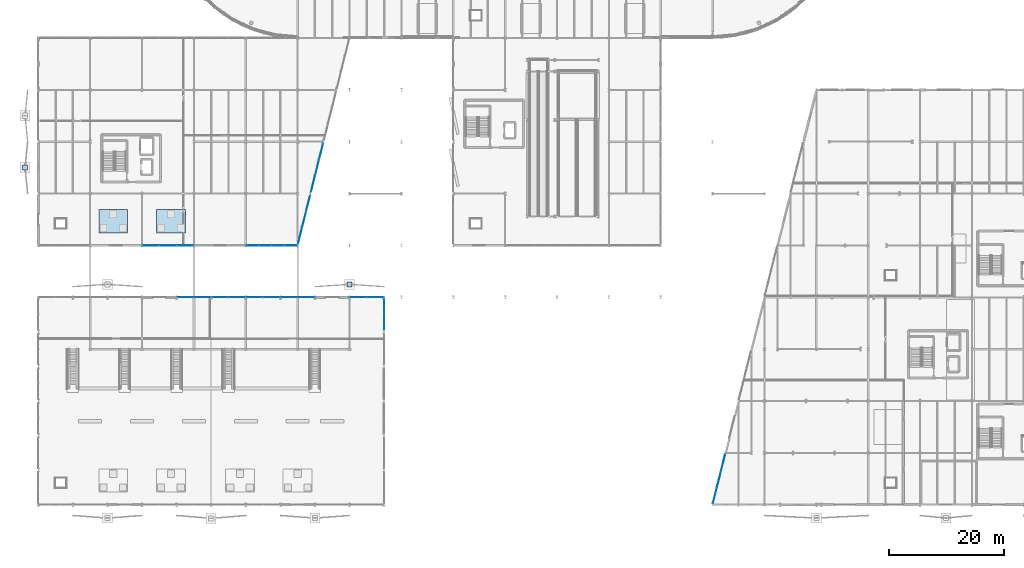
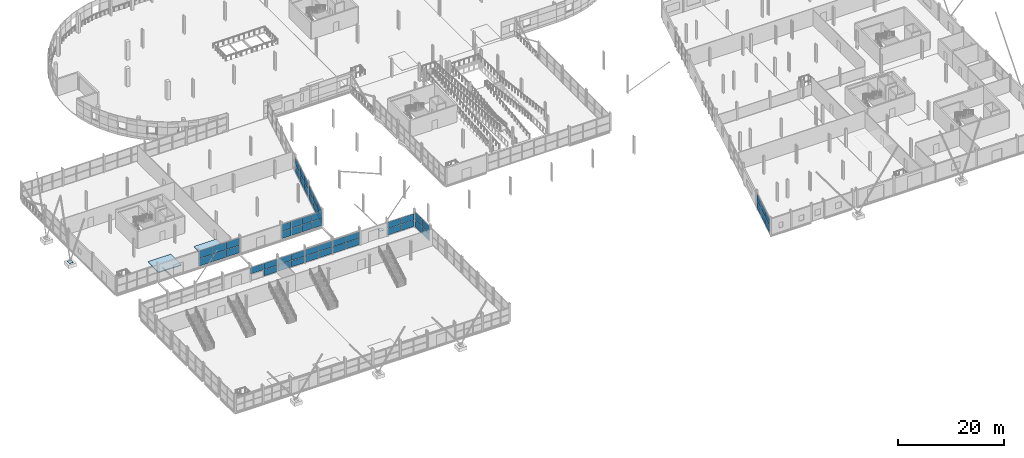
# One storey, part 103 of 140: 57 plates, 2 slabs, 11 elements without a shape of their own.
"""IFC4 building model written with IfcOpenShell, lengths in metres."""

from ifc_helpers import new_model, si_unit, direction, frame, origin, origin_2d, place, context, subcontext, project, spatial, polyline, rectangle, outline, extrude, material, layer, layer_set, type_object, element, aggregate, save


model = new_model("IFC4")

# Units and contexts
model_context = context("Model", 3, precision=1e-05, world=origin(), true_north=direction((0.0, 1.0)))
body_context = subcontext(model_context, "Body", "Model", "MODEL_VIEW")
ifc_project = project(units=[si_unit("LENGTHUNIT", "METRE"), si_unit("AREAUNIT", "SQUARE_METRE"), si_unit("VOLUMEUNIT", "CUBIC_METRE"), si_unit("PLANEANGLEUNIT", "RADIAN"), si_unit("MASSUNIT", "GRAM", prefix="KILO")], contexts=[model_context])

# Site, building, storey
site_placement = place(None, origin())
site = spatial("IfcSite", under=ifc_project, at=site_placement, CompositionType="ELEMENT")
building_placement = place(site_placement, origin())
building = spatial("IfcBuilding", under=site, at=building_placement, Name="Deido Ridge Mobility Hub", CompositionType="ELEMENT")
storey_placement = place(building_placement, origin())
storey = spatial("IfcBuildingStorey", under=building, at=storey_placement, Name="L00", CompositionType="ELEMENT", Elevation=0.0)

# Curtain wall, plates
ifc_material_1 = material(Name="Anodised aluminium EN AW-6063 T6", Category="aluminium")
ifc_layer_1 = layer(ifc_material_1, 0.16796875, Name="Anodised aluminium EN AW-6063 T6")
ifc_layer_set_1 = layer_set([ifc_layer_1], Name="Anodised aluminium EN AW-6063 T6")
curtain_wall_type_1 = type_object("IfcCurtainWallType", Name="CW-GS-4", PredefinedType="USERDEFINED", material=ifc_layer_set_1)
curtain_wall_1_placement = place(storey_placement, origin())
curtain_wall_1 = element("IfcCurtainWall", 1, at=curtain_wall_1_placement, inside=storey, type_object=curtain_wall_type_1, Name="Unitised curtain wall GS4", ObjectType="GLAZED SCREEN", PredefinedType="USERDEFINED")
ifc_material_2 = material(Name="Laminated solar-control low-E glass", Category="glass")
ifc_layer_2 = layer(ifc_material_2, 0.02587890625, Name="Laminated solar-control low-E glass")
ifc_layer_set_2 = layer_set([ifc_layer_2], Name="Laminated solar-control low-E glass")
plate_type_1 = type_object("IfcPlateType", Name="PLT-CWP-26", PredefinedType="CURTAIN_PANEL", material=ifc_layer_set_2)
plate_1_placement = place(storey_placement, frame((43.516357421875, 36.0, 0.0498046875), z_axis=(0.0, 0.0, 1.0), x_axis=(1.0, 0.0, 0.0)))
plate_1 = element("IfcPlate", 2, at=plate_1_placement, type_object=plate_type_1, Name="GS4 panel 1.1", PredefinedType="CURTAIN_PANEL", context=body_context, shape_type="SweptSolid", body=[
    extrude(rectangle(XDim=2.917236328125, YDim=0.02587890625, at=origin_2d()), origin(), (0.0, 0.0, 1.0), 1.467529296875),
])
plate_2_placement = place(storey_placement, frame((43.516357421875, 36.0, 1.5673828125), z_axis=(0.0, 0.0, 1.0), x_axis=(1.0, 0.0, 0.0)))
plate_2 = element("IfcPlate", 3, at=plate_2_placement, type_object=plate_type_1, Name="GS4 panel 1.2", PredefinedType="CURTAIN_PANEL", context=body_context, shape_type="SweptSolid", body=[
    extrude(rectangle(XDim=2.917236328125, YDim=0.02587890625, at=origin_2d()), origin(), (0.0, 0.0, 1.0), 1.467529296875),
])
plate_3_placement = place(storey_placement, frame((46.483642578125, 36.0, 0.0498046875), z_axis=(0.0, 0.0, 1.0), x_axis=(1.0, 0.0, 0.0)))
plate_3 = element("IfcPlate", 4, at=plate_3_placement, type_object=plate_type_1, Name="GS4 panel 2.1", PredefinedType="CURTAIN_PANEL", context=body_context, shape_type="SweptSolid", body=[
    extrude(rectangle(XDim=2.917236328125, YDim=0.02587890625, at=origin_2d()), origin(), (0.0, 0.0, 1.0), 1.467529296875),
])
plate_4_placement = place(storey_placement, frame((46.483642578125, 36.0, 1.5673828125), z_axis=(0.0, 0.0, 1.0), x_axis=(1.0, 0.0, 0.0)))
plate_4 = element("IfcPlate", 5, at=plate_4_placement, type_object=plate_type_1, Name="GS4 panel 2.2", PredefinedType="CURTAIN_PANEL", context=body_context, shape_type="SweptSolid", body=[
    extrude(rectangle(XDim=2.917236328125, YDim=0.02587890625, at=origin_2d()), origin(), (0.0, 0.0, 1.0), 1.467529296875),
])
aggregate(curtain_wall_1, [plate_1, plate_2, plate_3, plate_4])

ifc_layer_3 = layer(ifc_material_1, 0.195068359375, Name="Anodised aluminium EN AW-6063 T6")
ifc_layer_set_3 = layer_set([ifc_layer_3], Name="Anodised aluminium EN AW-6063 T6")
curtain_wall_type_2 = type_object("IfcCurtainWallType", Name="CW-UF-3", PredefinedType="USERDEFINED", material=ifc_layer_set_3)
curtain_wall_2_placement = place(storey_placement, origin())
curtain_wall_2 = element("IfcCurtainWall", 6, at=curtain_wall_2_placement, inside=storey, type_object=curtain_wall_type_2, Name="Unitised curtain wall CW3", ObjectType="UNITISED FACADE", PredefinedType="USERDEFINED")
ifc_layer_4 = layer(ifc_material_2, 0.029052734375, Name="Laminated solar-control low-E glass")
ifc_layer_set_4 = layer_set([ifc_layer_4], Name="Laminated solar-control low-E glass")
plate_type_2 = type_object("IfcPlateType", Name="PLT-CWP-29", PredefinedType="CURTAIN_PANEL", material=ifc_layer_set_4)
plate_5_placement = place(storey_placement, frame((60.0, 31.686767578125, 0.054931640625), z_axis=(0.0, 0.0, 1.0), x_axis=(0.0, 1.0, 0.0)))
plate_5 = element("IfcPlate", 7, at=plate_5_placement, type_object=plate_type_2, Name="CW3 panel 1.1", PredefinedType="CURTAIN_PANEL", context=body_context, shape_type="SweptSolid", body=[
    extrude(rectangle(XDim=2.66357421875, YDim=0.029052734375, at=origin_2d()), origin(), (0.0, 0.0, 1.0), 1.72998046875),
])
plate_6_placement = place(storey_placement, frame((60.0, 31.686767578125, 1.840087890625), z_axis=(0.0, 0.0, 1.0), x_axis=(0.0, 1.0, 0.0)))
plate_6 = element("IfcPlate", 8, at=plate_6_placement, type_object=plate_type_2, Name="CW3 panel 1.2", PredefinedType="CURTAIN_PANEL", context=body_context, shape_type="SweptSolid", body=[
    extrude(rectangle(XDim=2.66357421875, YDim=0.029052734375, at=origin_2d()), origin(), (0.0, 0.0, 1.0), 1.72998046875),
])
plate_7_placement = place(storey_placement, frame((60.0, 34.4052734375, 0.054931640625), z_axis=(0.0, 0.0, 1.0), x_axis=(0.0, 1.0, 0.0)))
plate_7 = element("IfcPlate", 9, at=plate_7_placement, type_object=plate_type_2, Name="CW3 panel 2.1", PredefinedType="CURTAIN_PANEL", context=body_context, shape_type="SweptSolid", body=[
    extrude(rectangle(XDim=2.66357421875, YDim=0.029052734375, at=origin_2d()), origin(), (0.0, 0.0, 1.0), 1.72998046875),
])
plate_8_placement = place(storey_placement, frame((60.0, 34.4052734375, 1.840087890625), z_axis=(0.0, 0.0, 1.0), x_axis=(0.0, 1.0, 0.0)))
plate_8 = element("IfcPlate", 10, at=plate_8_placement, type_object=plate_type_2, Name="CW3 panel 2.2", PredefinedType="CURTAIN_PANEL", context=body_context, shape_type="SweptSolid", body=[
    extrude(rectangle(XDim=2.66357421875, YDim=0.029052734375, at=origin_2d()), origin(), (0.0, 0.0, 1.0), 1.72998046875),
])
aggregate(curtain_wall_2, [plate_5, plate_6, plate_7, plate_8])

ifc_layer_5 = layer(ifc_material_1, 0.14404296875, Name="Anodised aluminium EN AW-6063 T6")
ifc_layer_set_5 = layer_set([ifc_layer_5], Name="Anodised aluminium EN AW-6063 T6")
curtain_wall_type_3 = type_object("IfcCurtainWallType", Name="CW-GS-2", PredefinedType="USERDEFINED", material=ifc_layer_set_5)
curtain_wall_3_placement = place(storey_placement, origin())
curtain_wall_3 = element("IfcCurtainWall", 11, at=curtain_wall_3_placement, inside=storey, type_object=curtain_wall_type_3, Name="Unitised curtain wall GS2", ObjectType="GLAZED SCREEN", PredefinedType="USERDEFINED")
ifc_layer_6 = layer(ifc_material_2, 0.031005859375, Name="Laminated solar-control low-E glass")
ifc_layer_set_6 = layer_set([ifc_layer_6], Name="Laminated solar-control low-E glass")
plate_type_3 = type_object("IfcPlateType", Name="PLT-CWP-31", PredefinedType="CURTAIN_PANEL", material=ifc_layer_set_6)
plate_9_placement = place(storey_placement, frame((55.517822265625, 36.0, 0.06005859375), z_axis=(0.0, 0.0, 1.0), x_axis=(1.0, 0.0, 0.0)))
plate_9 = element("IfcPlate", 12, at=plate_9_placement, type_object=plate_type_3, Name="GS2 panel 1.1", PredefinedType="CURTAIN_PANEL", context=body_context, shape_type="SweptSolid", body=[
    extrude(rectangle(XDim=2.900146484375, YDim=0.031005859375, at=origin_2d()), origin(), (0.0, 0.0, 1.0), 1.4599609375),
])
plate_10_placement = place(storey_placement, frame((55.517822265625, 36.0, 1.580078125), z_axis=(0.0, 0.0, 1.0), x_axis=(1.0, 0.0, 0.0)))
plate_10 = element("IfcPlate", 13, at=plate_10_placement, type_object=plate_type_3, Name="GS2 panel 1.2", PredefinedType="CURTAIN_PANEL", context=body_context, shape_type="SweptSolid", body=[
    extrude(rectangle(XDim=2.900146484375, YDim=0.031005859375, at=origin_2d()), origin(), (0.0, 0.0, 1.0), 1.4599609375),
])
plate_11_placement = place(storey_placement, frame((58.47802734375, 36.0, 0.06005859375), z_axis=(0.0, 0.0, 1.0), x_axis=(1.0, 0.0, 0.0)))
plate_11 = element("IfcPlate", 14, at=plate_11_placement, type_object=plate_type_3, Name="GS2 panel 2.1", PredefinedType="CURTAIN_PANEL", context=body_context, shape_type="SweptSolid", body=[
    extrude(rectangle(XDim=2.900146484375, YDim=0.031005859375, at=origin_2d()), origin(), (0.0, 0.0, 1.0), 1.4599609375),
])
plate_12_placement = place(storey_placement, frame((58.47802734375, 36.0, 1.580078125), z_axis=(0.0, 0.0, 1.0), x_axis=(1.0, 0.0, 0.0)))
plate_12 = element("IfcPlate", 15, at=plate_12_placement, type_object=plate_type_3, Name="GS2 panel 2.2", PredefinedType="CURTAIN_PANEL", context=body_context, shape_type="SweptSolid", body=[
    extrude(rectangle(XDim=2.900146484375, YDim=0.031005859375, at=origin_2d()), origin(), (0.0, 0.0, 1.0), 1.4599609375),
])
aggregate(curtain_wall_3, [plate_9, plate_10, plate_11, plate_12])

ifc_layer_7 = layer(ifc_material_1, 0.239990234375, Name="Anodised aluminium EN AW-6063 T6")
ifc_layer_set_7 = layer_set([ifc_layer_7], Name="Anodised aluminium EN AW-6063 T6")
curtain_wall_type_4 = type_object("IfcCurtainWallType", Name="CW-UF-6", PredefinedType="USERDEFINED", material=ifc_layer_set_7)
curtain_wall_4_placement = place(storey_placement, origin())
curtain_wall_4 = element("IfcCurtainWall", 16, at=curtain_wall_4_placement, inside=storey, type_object=curtain_wall_type_4, Name="Unitised curtain wall CW6", ObjectType="UNITISED FACADE", PredefinedType="USERDEFINED")
ifc_layer_8 = layer(ifc_material_2, 0.034912109375, Name="Laminated solar-control low-E glass")
ifc_layer_set_8 = layer_set([ifc_layer_8], Name="Laminated solar-control low-E glass")
plate_type_4 = type_object("IfcPlateType", Name="PLT-CWP-35", PredefinedType="CURTAIN_PANEL", material=ifc_layer_set_8)
plate_13_placement = place(storey_placement, frame((117.413330078125, 1.653564453125, 0.06982421875), z_axis=(0.0, 0.0, 1.0), x_axis=(0.242530310632, 0.970143828731, 0.0)))
plate_13 = element("IfcPlate", 17, at=plate_13_placement, type_object=plate_type_4, Name="CW6 panel 1.1", PredefinedType="CURTAIN_PANEL", context=body_context, shape_type="SweptSolid", body=[
    extrude(rectangle(XDim=2.8466796875, YDim=0.034912109375, at=origin_2d()), origin(), (0.0, 0.0, 1.0), 1.695068359375),
])
plate_14_placement = place(storey_placement, frame((117.413330078125, 1.653564453125, 1.8349609375), z_axis=(0.0, 0.0, 1.0), x_axis=(0.242530310632, 0.970143828731, 0.0)))
plate_14 = element("IfcPlate", 18, at=plate_14_placement, type_object=plate_type_4, Name="CW6 panel 1.2", PredefinedType="CURTAIN_PANEL", context=body_context, shape_type="SweptSolid", body=[
    extrude(rectangle(XDim=2.8466796875, YDim=0.034912109375, at=origin_2d()), origin(), (0.0, 0.0, 1.0), 1.695068359375),
])
plate_15_placement = place(storey_placement, frame((118.125, 4.5, 0.06982421875), z_axis=(0.0, 0.0, 1.0), x_axis=(0.242530310632, 0.970143828731, 0.0)))
plate_15 = element("IfcPlate", 19, at=plate_15_placement, type_object=plate_type_4, Name="CW6 panel 2.1", PredefinedType="CURTAIN_PANEL", context=body_context, shape_type="SweptSolid", body=[
    extrude(rectangle(XDim=2.881591796875, YDim=0.034912109375, at=origin_2d()), origin(), (0.0, 0.0, 1.0), 1.695068359375),
])
plate_16_placement = place(storey_placement, frame((118.125, 4.5, 1.8349609375), z_axis=(0.0, 0.0, 1.0), x_axis=(0.242530310632, 0.970143828731, 0.0)))
plate_16 = element("IfcPlate", 20, at=plate_16_placement, type_object=plate_type_4, Name="CW6 panel 2.2", PredefinedType="CURTAIN_PANEL", context=body_context, shape_type="SweptSolid", body=[
    extrude(rectangle(XDim=2.881591796875, YDim=0.034912109375, at=origin_2d()), origin(), (0.0, 0.0, 1.0), 1.695068359375),
])
plate_17_placement = place(storey_placement, frame((118.836669921875, 7.346435546875, 0.06982421875), z_axis=(0.0, 0.0, 1.0), x_axis=(0.242530310632, 0.970143828731, 0.0)))
plate_17 = element("IfcPlate", 21, at=plate_17_placement, type_object=plate_type_4, Name="CW6 panel 3.1", PredefinedType="CURTAIN_PANEL", context=body_context, shape_type="SweptSolid", body=[
    extrude(rectangle(XDim=2.8466796875, YDim=0.034912109375, at=origin_2d()), origin(), (0.0, 0.0, 1.0), 1.695068359375),
])
plate_18_placement = place(storey_placement, frame((118.836669921875, 7.346435546875, 1.8349609375), z_axis=(0.0, 0.0, 1.0), x_axis=(0.242530310632, 0.970143828731, 0.0)))
plate_18 = element("IfcPlate", 22, at=plate_18_placement, type_object=plate_type_4, Name="CW6 panel 3.2", PredefinedType="CURTAIN_PANEL", context=body_context, shape_type="SweptSolid", body=[
    extrude(rectangle(XDim=2.8466796875, YDim=0.034912109375, at=origin_2d()), origin(), (0.0, 0.0, 1.0), 1.695068359375),
])
aggregate(curtain_wall_4, [plate_13, plate_14, plate_15, plate_16, plate_17, plate_18])

ifc_layer_9 = layer(ifc_material_1, 0.132080078125, Name="Anodised aluminium EN AW-6063 T6")
ifc_layer_set_9 = layer_set([ifc_layer_9], Name="Anodised aluminium EN AW-6063 T6")
curtain_wall_type_5 = type_object("IfcCurtainWallType", Name="CW-GS-1", PredefinedType="USERDEFINED", material=ifc_layer_set_9)
curtain_wall_5_placement = place(storey_placement, origin())
curtain_wall_5 = element("IfcCurtainWall", 23, at=curtain_wall_5_placement, inside=storey, type_object=curtain_wall_type_5, Name="Unitised curtain wall GS1", ObjectType="GLAZED SCREEN", PredefinedType="USERDEFINED")
ifc_layer_10 = layer(ifc_material_2, 0.037109375, Name="Laminated solar-control low-E glass")
ifc_layer_set_10 = layer_set([ifc_layer_10], Name="Laminated solar-control low-E glass")
plate_type_5 = type_object("IfcPlateType", Name="PLT-CWP-37", PredefinedType="CURTAIN_PANEL", material=ifc_layer_set_10)
plate_19_placement = place(storey_placement, frame((25.521484375, 36.0, 1.58740234375), z_axis=(0.0, 0.0, 1.0), x_axis=(1.0, 0.0, 0.0)))
plate_19 = element("IfcPlate", 24, at=plate_19_placement, type_object=plate_type_5, Name="GS1 panel 1.2", PredefinedType="CURTAIN_PANEL", context=body_context, shape_type="SweptSolid", body=[
    extrude(rectangle(XDim=2.877685546875, YDim=0.037109375, at=origin_2d()), origin(), (0.0, 0.0, 1.0), 1.4375),
])
plate_20_placement = place(storey_placement, frame((28.47412109375, 36.0, 0.074951171875), z_axis=(0.0, 0.0, 1.0), x_axis=(1.0, 0.0, 0.0)))
plate_20 = element("IfcPlate", 25, at=plate_20_placement, type_object=plate_type_5, Name="GS1 panel 2.1", PredefinedType="CURTAIN_PANEL", context=body_context, shape_type="SweptSolid", body=[
    extrude(rectangle(XDim=2.877685546875, YDim=0.037109375, at=origin_2d()), origin(), (0.0, 0.0, 1.0), 1.4375),
])
plate_21_placement = place(storey_placement, frame((28.47412109375, 36.0, 1.58740234375), z_axis=(0.0, 0.0, 1.0), x_axis=(1.0, 0.0, 0.0)))
plate_21 = element("IfcPlate", 26, at=plate_21_placement, type_object=plate_type_5, Name="GS1 panel 2.2", PredefinedType="CURTAIN_PANEL", context=body_context, shape_type="SweptSolid", body=[
    extrude(rectangle(XDim=2.877685546875, YDim=0.037109375, at=origin_2d()), origin(), (0.0, 0.0, 1.0), 1.4375),
])
aggregate(curtain_wall_5, [plate_19, plate_20, plate_21])

ifc_layer_11 = layer(ifc_material_1, 0.156005859375, Name="Anodised aluminium EN AW-6063 T6")
ifc_layer_set_11 = layer_set([ifc_layer_11], Name="Anodised aluminium EN AW-6063 T6")
curtain_wall_type_6 = type_object("IfcCurtainWallType", Name="CW-GS-3", PredefinedType="USERDEFINED", material=ifc_layer_set_11)
curtain_wall_6_placement = place(storey_placement, origin())
curtain_wall_6 = element("IfcCurtainWall", 27, at=curtain_wall_6_placement, inside=storey, type_object=curtain_wall_type_6, Name="Unitised curtain wall GS3", ObjectType="GLAZED SCREEN", PredefinedType="USERDEFINED")
plate_22_placement = place(storey_placement, frame((19.5234375, 45.0, 0.074951171875), z_axis=(0.0, 0.0, 1.0), x_axis=(1.0, 0.0, 0.0)))
plate_22 = element("IfcPlate", 28, at=plate_22_placement, type_object=plate_type_5, Name="GS3 panel 1.1", PredefinedType="CURTAIN_PANEL", context=body_context, shape_type="SweptSolid", body=[
    extrude(rectangle(XDim=2.8828125, YDim=0.037109375, at=origin_2d()), origin(), (0.0, 0.0, 1.0), 1.6875),
])
plate_23_placement = place(storey_placement, frame((19.5234375, 45.0, 1.83740234375), z_axis=(0.0, 0.0, 1.0), x_axis=(1.0, 0.0, 0.0)))
plate_23 = element("IfcPlate", 29, at=plate_23_placement, type_object=plate_type_5, Name="GS3 panel 1.2", PredefinedType="CURTAIN_PANEL", context=body_context, shape_type="SweptSolid", body=[
    extrude(rectangle(XDim=2.8828125, YDim=0.037109375, at=origin_2d()), origin(), (0.0, 0.0, 1.0), 1.6875),
])
plate_24_placement = place(storey_placement, frame((22.5, 45.0, 0.074951171875), z_axis=(0.0, 0.0, 1.0), x_axis=(1.0, 0.0, 0.0)))
plate_24 = element("IfcPlate", 30, at=plate_24_placement, type_object=plate_type_5, Name="GS3 panel 2.1", PredefinedType="CURTAIN_PANEL", context=body_context, shape_type="SweptSolid", body=[
    extrude(rectangle(XDim=2.920166015625, YDim=0.037109375, at=origin_2d()), origin(), (0.0, 0.0, 1.0), 1.6875),
])
plate_25_placement = place(storey_placement, frame((22.5, 45.0, 1.83740234375), z_axis=(0.0, 0.0, 1.0), x_axis=(1.0, 0.0, 0.0)))
plate_25 = element("IfcPlate", 31, at=plate_25_placement, type_object=plate_type_5, Name="GS3 panel 2.2", PredefinedType="CURTAIN_PANEL", context=body_context, shape_type="SweptSolid", body=[
    extrude(rectangle(XDim=2.920166015625, YDim=0.037109375, at=origin_2d()), origin(), (0.0, 0.0, 1.0), 1.6875),
])
plate_26_placement = place(storey_placement, frame((25.4765625, 45.0, 0.074951171875), z_axis=(0.0, 0.0, 1.0), x_axis=(1.0, 0.0, 0.0)))
plate_26 = element("IfcPlate", 32, at=plate_26_placement, type_object=plate_type_5, Name="GS3 panel 3.1", PredefinedType="CURTAIN_PANEL", context=body_context, shape_type="SweptSolid", body=[
    extrude(rectangle(XDim=2.8828125, YDim=0.037109375, at=origin_2d()), origin(), (0.0, 0.0, 1.0), 1.6875),
])
plate_27_placement = place(storey_placement, frame((25.4765625, 45.0, 1.83740234375), z_axis=(0.0, 0.0, 1.0), x_axis=(1.0, 0.0, 0.0)))
plate_27 = element("IfcPlate", 33, at=plate_27_placement, type_object=plate_type_5, Name="GS3 panel 3.2", PredefinedType="CURTAIN_PANEL", context=body_context, shape_type="SweptSolid", body=[
    extrude(rectangle(XDim=2.8828125, YDim=0.037109375, at=origin_2d()), origin(), (0.0, 0.0, 1.0), 1.6875),
])
aggregate(curtain_wall_6, [plate_22, plate_23, plate_24, plate_25, plate_26, plate_27])

ifc_layer_12 = layer(ifc_material_1, 0.22509765625, Name="Anodised aluminium EN AW-6063 T6")
ifc_layer_set_12 = layer_set([ifc_layer_12], Name="Anodised aluminium EN AW-6063 T6")
curtain_wall_type_7 = type_object("IfcCurtainWallType", Name="CW-UF-5", PredefinedType="USERDEFINED", material=ifc_layer_set_12)
curtain_wall_7_placement = place(storey_placement, origin())
curtain_wall_7 = element("IfcCurtainWall", 34, at=curtain_wall_7_placement, inside=storey, type_object=curtain_wall_type_7, Name="Unitised curtain wall CW5", ObjectType="UNITISED FACADE", PredefinedType="USERDEFINED")
plate_28_placement = place(storey_placement, frame((45.424560546875, 46.698486328125, 0.074951171875), z_axis=(0.0, 0.0, 1.0), x_axis=(0.242546419373, 0.970139801497, 0.0)))
plate_28 = element("IfcPlate", 35, at=plate_28_placement, type_object=plate_type_5, Name="CW5 panel 1.1", PredefinedType="CURTAIN_PANEL", context=body_context, shape_type="SweptSolid", body=[
    extrude(rectangle(XDim=2.7939453125, YDim=0.037109375, at=origin_2d()), origin(), (0.0, 0.0, 1.0), 1.625),
])
plate_29_placement = place(storey_placement, frame((45.424560546875, 46.698486328125, 1.77490234375), z_axis=(0.0, 0.0, 1.0), x_axis=(0.242546419373, 0.970139801497, 0.0)))
plate_29 = element("IfcPlate", 36, at=plate_29_placement, type_object=plate_type_5, Name="CW5 panel 1.2", PredefinedType="CURTAIN_PANEL", context=body_context, shape_type="SweptSolid", body=[
    extrude(rectangle(XDim=2.7939453125, YDim=0.037109375, at=origin_2d()), origin(), (0.0, 0.0, 1.0), 1.625),
])
plate_30_placement = place(storey_placement, frame((46.125, 49.5, 0.074951171875), z_axis=(0.0, 0.0, 1.0), x_axis=(0.242546419373, 0.970139801497, 0.0)))
plate_30 = element("IfcPlate", 37, at=plate_30_placement, type_object=plate_type_5, Name="CW5 panel 2.1", PredefinedType="CURTAIN_PANEL", context=body_context, shape_type="SweptSolid", body=[
    extrude(rectangle(XDim=2.831298828125, YDim=0.037109375, at=origin_2d()), origin(), (0.0, 0.0, 1.0), 1.625),
])
plate_31_placement = place(storey_placement, frame((46.125, 49.5, 1.77490234375), z_axis=(0.0, 0.0, 1.0), x_axis=(0.242546419373, 0.970139801497, 0.0)))
plate_31 = element("IfcPlate", 38, at=plate_31_placement, type_object=plate_type_5, Name="CW5 panel 2.2", PredefinedType="CURTAIN_PANEL", context=body_context, shape_type="SweptSolid", body=[
    extrude(rectangle(XDim=2.831298828125, YDim=0.037109375, at=origin_2d()), origin(), (0.0, 0.0, 1.0), 1.625),
])
plate_32_placement = place(storey_placement, frame((46.825439453125, 52.301513671875, 0.074951171875), z_axis=(0.0, 0.0, 1.0), x_axis=(0.242546419373, 0.970139801497, 0.0)))
plate_32 = element("IfcPlate", 39, at=plate_32_placement, type_object=plate_type_5, Name="CW5 panel 3.1", PredefinedType="CURTAIN_PANEL", context=body_context, shape_type="SweptSolid", body=[
    extrude(rectangle(XDim=2.7939453125, YDim=0.037109375, at=origin_2d()), origin(), (0.0, 0.0, 1.0), 1.625),
])
plate_33_placement = place(storey_placement, frame((46.825439453125, 52.301513671875, 1.77490234375), z_axis=(0.0, 0.0, 1.0), x_axis=(0.242546419373, 0.970139801497, 0.0)))
plate_33 = element("IfcPlate", 40, at=plate_33_placement, type_object=plate_type_5, Name="CW5 panel 3.2", PredefinedType="CURTAIN_PANEL", context=body_context, shape_type="SweptSolid", body=[
    extrude(rectangle(XDim=2.7939453125, YDim=0.037109375, at=origin_2d()), origin(), (0.0, 0.0, 1.0), 1.625),
])
aggregate(curtain_wall_7, [plate_28, plate_29, plate_30, plate_31, plate_32, plate_33])

curtain_wall_8_placement = place(storey_placement, origin())
curtain_wall_8 = element("IfcCurtainWall", 41, at=curtain_wall_8_placement, inside=storey, type_object=curtain_wall_type_3, Name="Unitised curtain wall GS2", ObjectType="GLAZED SCREEN", PredefinedType="USERDEFINED")
ifc_layer_13 = layer(ifc_material_2, 0.0390625, Name="Laminated solar-control low-E glass")
ifc_layer_set_13 = layer_set([ifc_layer_13], Name="Laminated solar-control low-E glass")
plate_type_6 = type_object("IfcPlateType", Name="PLT-CWP-39", PredefinedType="CURTAIN_PANEL", material=ifc_layer_set_13)
plate_34_placement = place(storey_placement, frame((31.527099609375, 36.0, 0.080078125), z_axis=(0.0, 0.0, 1.0), x_axis=(1.0, 0.0, 0.0)))
plate_34 = element("IfcPlate", 42, at=plate_34_placement, type_object=plate_type_6, Name="GS2 panel 1.1", PredefinedType="CURTAIN_PANEL", context=body_context, shape_type="SweptSolid", body=[
    extrude(rectangle(XDim=2.8701171875, YDim=0.0390625, at=origin_2d()), origin(), (0.0, 0.0, 1.0), 1.422607421875),
])
plate_35_placement = place(storey_placement, frame((31.527099609375, 36.0, 1.58251953125), z_axis=(0.0, 0.0, 1.0), x_axis=(1.0, 0.0, 0.0)))
plate_35 = element("IfcPlate", 43, at=plate_35_placement, type_object=plate_type_6, Name="GS2 panel 1.2", PredefinedType="CURTAIN_PANEL", context=body_context, shape_type="SweptSolid", body=[
    extrude(rectangle(XDim=2.8701171875, YDim=0.0390625, at=origin_2d()), origin(), (0.0, 0.0, 1.0), 1.422607421875),
])
plate_36_placement = place(storey_placement, frame((34.47705078125, 36.0, 0.080078125), z_axis=(0.0, 0.0, 1.0), x_axis=(1.0, 0.0, 0.0)))
plate_36 = element("IfcPlate", 44, at=plate_36_placement, type_object=plate_type_6, Name="GS2 panel 2.1", PredefinedType="CURTAIN_PANEL", context=body_context, shape_type="SweptSolid", body=[
    extrude(rectangle(XDim=2.8701171875, YDim=0.0390625, at=origin_2d()), origin(), (0.0, 0.0, 1.0), 1.422607421875),
])
plate_37_placement = place(storey_placement, frame((34.47705078125, 36.0, 1.58251953125), z_axis=(0.0, 0.0, 1.0), x_axis=(1.0, 0.0, 0.0)))
plate_37 = element("IfcPlate", 45, at=plate_37_placement, type_object=plate_type_6, Name="GS2 panel 2.2", PredefinedType="CURTAIN_PANEL", context=body_context, shape_type="SweptSolid", body=[
    extrude(rectangle(XDim=2.8701171875, YDim=0.0390625, at=origin_2d()), origin(), (0.0, 0.0, 1.0), 1.422607421875),
])
aggregate(curtain_wall_8, [plate_34, plate_35, plate_36, plate_37])

curtain_wall_9_placement = place(storey_placement, origin())
curtain_wall_9 = element("IfcCurtainWall", 46, at=curtain_wall_9_placement, inside=storey, type_object=curtain_wall_type_4, Name="Unitised curtain wall CW6", ObjectType="UNITISED FACADE", PredefinedType="USERDEFINED")
plate_38_placement = place(storey_placement, frame((47.6748046875, 55.69970703125, 0.080078125), z_axis=(0.0, 0.0, 1.0), x_axis=(0.242546419373, 0.970139801497, 0.0)))
plate_38 = element("IfcPlate", 47, at=plate_38_placement, type_object=plate_type_6, Name="CW6 panel 1.1", PredefinedType="CURTAIN_PANEL", context=body_context, shape_type="SweptSolid", body=[
    extrude(rectangle(XDim=2.786376953125, YDim=0.0390625, at=origin_2d()), origin(), (0.0, 0.0, 1.0), 1.679931640625),
])
plate_39_placement = place(storey_placement, frame((47.6748046875, 55.69970703125, 1.83984375), z_axis=(0.0, 0.0, 1.0), x_axis=(0.242546419373, 0.970139801497, 0.0)))
plate_39 = element("IfcPlate", 48, at=plate_39_placement, type_object=plate_type_6, Name="CW6 panel 1.2", PredefinedType="CURTAIN_PANEL", context=body_context, shape_type="SweptSolid", body=[
    extrude(rectangle(XDim=2.786376953125, YDim=0.0390625, at=origin_2d()), origin(), (0.0, 0.0, 1.0), 1.679931640625),
])
plate_40_placement = place(storey_placement, frame((48.375, 58.5, 0.080078125), z_axis=(0.0, 0.0, 1.0), x_axis=(0.242546419373, 0.970139801497, 0.0)))
plate_40 = element("IfcPlate", 49, at=plate_40_placement, type_object=plate_type_6, Name="CW6 panel 2.1", PredefinedType="CURTAIN_PANEL", context=body_context, shape_type="SweptSolid", body=[
    extrude(rectangle(XDim=2.826416015625, YDim=0.0390625, at=origin_2d()), origin(), (0.0, 0.0, 1.0), 1.679931640625),
])
plate_41_placement = place(storey_placement, frame((48.375, 58.5, 1.83984375), z_axis=(0.0, 0.0, 1.0), x_axis=(0.242546419373, 0.970139801497, 0.0)))
plate_41 = element("IfcPlate", 50, at=plate_41_placement, type_object=plate_type_6, Name="CW6 panel 2.2", PredefinedType="CURTAIN_PANEL", context=body_context, shape_type="SweptSolid", body=[
    extrude(rectangle(XDim=2.826416015625, YDim=0.0390625, at=origin_2d()), origin(), (0.0, 0.0, 1.0), 1.679931640625),
])
plate_42_placement = place(storey_placement, frame((49.0751953125, 61.30029296875, 0.080078125), z_axis=(0.0, 0.0, 1.0), x_axis=(0.242546419373, 0.970139801497, 0.0)))
plate_42 = element("IfcPlate", 51, at=plate_42_placement, type_object=plate_type_6, Name="CW6 panel 3.1", PredefinedType="CURTAIN_PANEL", context=body_context, shape_type="SweptSolid", body=[
    extrude(rectangle(XDim=2.786376953125, YDim=0.0390625, at=origin_2d()), origin(), (0.0, 0.0, 1.0), 1.679931640625),
])
plate_43_placement = place(storey_placement, frame((49.0751953125, 61.30029296875, 1.83984375), z_axis=(0.0, 0.0, 1.0), x_axis=(0.242546419373, 0.970139801497, 0.0)))
plate_43 = element("IfcPlate", 52, at=plate_43_placement, type_object=plate_type_6, Name="CW6 panel 3.2", PredefinedType="CURTAIN_PANEL", context=body_context, shape_type="SweptSolid", body=[
    extrude(rectangle(XDim=2.786376953125, YDim=0.0390625, at=origin_2d()), origin(), (0.0, 0.0, 1.0), 1.679931640625),
])
aggregate(curtain_wall_9, [plate_38, plate_39, plate_40, plate_41, plate_42, plate_43])

curtain_wall_10_placement = place(storey_placement, origin())
curtain_wall_10 = element("IfcCurtainWall", 53, at=curtain_wall_10_placement, inside=storey, type_object=curtain_wall_type_6, Name="Unitised curtain wall GS3", ObjectType="GLAZED SCREEN", PredefinedType="USERDEFINED")
ifc_layer_14 = layer(ifc_material_2, 0.041015625, Name="Laminated solar-control low-E glass")
ifc_layer_set_14 = layer_set([ifc_layer_14], Name="Laminated solar-control low-E glass")
plate_type_7 = type_object("IfcPlateType", Name="PLT-CWP-41", PredefinedType="CURTAIN_PANEL", material=ifc_layer_set_14)
plate_44_placement = place(storey_placement, frame((37.525146484375, 36.0, 0.0849609375), z_axis=(0.0, 0.0, 1.0), x_axis=(1.0, 0.0, 0.0)))
plate_44 = element("IfcPlate", 54, at=plate_44_placement, type_object=plate_type_7, Name="GS3 panel 1.1", PredefinedType="CURTAIN_PANEL", context=body_context, shape_type="SweptSolid", body=[
    extrude(rectangle(XDim=2.86474609375, YDim=0.041015625, at=origin_2d()), origin(), (0.0, 0.0, 1.0), 1.4150390625),
])
plate_45_placement = place(storey_placement, frame((37.525146484375, 36.0, 1.5849609375), z_axis=(0.0, 0.0, 1.0), x_axis=(1.0, 0.0, 0.0)))
plate_45 = element("IfcPlate", 55, at=plate_45_placement, type_object=plate_type_7, Name="GS3 panel 1.2", PredefinedType="CURTAIN_PANEL", context=body_context, shape_type="SweptSolid", body=[
    extrude(rectangle(XDim=2.86474609375, YDim=0.041015625, at=origin_2d()), origin(), (0.0, 0.0, 1.0), 1.4150390625),
])
plate_46_placement = place(storey_placement, frame((40.474853515625, 36.0, 0.0849609375), z_axis=(0.0, 0.0, 1.0), x_axis=(1.0, 0.0, 0.0)))
plate_46 = element("IfcPlate", 56, at=plate_46_placement, type_object=plate_type_7, Name="GS3 panel 2.1", PredefinedType="CURTAIN_PANEL", context=body_context, shape_type="SweptSolid", body=[
    extrude(rectangle(XDim=2.86474609375, YDim=0.041015625, at=origin_2d()), origin(), (0.0, 0.0, 1.0), 1.4150390625),
])
plate_47_placement = place(storey_placement, frame((40.474853515625, 36.0, 1.5849609375), z_axis=(0.0, 0.0, 1.0), x_axis=(1.0, 0.0, 0.0)))
plate_47 = element("IfcPlate", 57, at=plate_47_placement, type_object=plate_type_7, Name="GS3 panel 2.2", PredefinedType="CURTAIN_PANEL", context=body_context, shape_type="SweptSolid", body=[
    extrude(rectangle(XDim=2.86474609375, YDim=0.041015625, at=origin_2d()), origin(), (0.0, 0.0, 1.0), 1.4150390625),
])
aggregate(curtain_wall_10, [plate_44, plate_45, plate_46, plate_47])

curtain_wall_11_placement = place(storey_placement, origin())
curtain_wall_11 = element("IfcCurtainWall", 58, at=curtain_wall_11_placement, inside=storey, type_object=curtain_wall_type_5, Name="Unitised curtain wall GS1", ObjectType="GLAZED SCREEN", PredefinedType="USERDEFINED")
plate_48_placement = place(storey_placement, frame((37.151611328125, 45.0, 0.0849609375), z_axis=(0.0, 0.0, 1.0), x_axis=(1.0, 0.0, 0.0)))
plate_48 = element("IfcPlate", 59, at=plate_48_placement, type_object=plate_type_7, Name="GS1 panel 1.1", PredefinedType="CURTAIN_PANEL", context=body_context, shape_type="SweptSolid", body=[
    extrude(rectangle(XDim=2.118896484375, YDim=0.041015625, at=origin_2d()), origin(), (0.0, 0.0, 1.0), 1.5849609375),
])
plate_49_placement = place(storey_placement, frame((37.151611328125, 45.0, 1.755126953125), z_axis=(0.0, 0.0, 1.0), x_axis=(1.0, 0.0, 0.0)))
plate_49 = element("IfcPlate", 60, at=plate_49_placement, type_object=plate_type_7, Name="GS1 panel 1.2", PredefinedType="CURTAIN_PANEL", context=body_context, shape_type="SweptSolid", body=[
    extrude(rectangle(XDim=2.118896484375, YDim=0.041015625, at=origin_2d()), origin(), (0.0, 0.0, 1.0), 1.5849609375),
])
plate_50_placement = place(storey_placement, frame((39.376708984375, 45.0, 0.0849609375), z_axis=(0.0, 0.0, 1.0), x_axis=(1.0, 0.0, 0.0)))
plate_50 = element("IfcPlate", 61, at=plate_50_placement, type_object=plate_type_7, Name="GS1 panel 2.1", PredefinedType="CURTAIN_PANEL", context=body_context, shape_type="SweptSolid", body=[
    extrude(rectangle(XDim=2.161376953125, YDim=0.041015625, at=origin_2d()), origin(), (0.0, 0.0, 1.0), 1.5849609375),
])
plate_51_placement = place(storey_placement, frame((39.376708984375, 45.0, 1.755126953125), z_axis=(0.0, 0.0, 1.0), x_axis=(1.0, 0.0, 0.0)))
plate_51 = element("IfcPlate", 62, at=plate_51_placement, type_object=plate_type_7, Name="GS1 panel 2.2", PredefinedType="CURTAIN_PANEL", context=body_context, shape_type="SweptSolid", body=[
    extrude(rectangle(XDim=2.161376953125, YDim=0.041015625, at=origin_2d()), origin(), (0.0, 0.0, 1.0), 1.5849609375),
])
plate_52_placement = place(storey_placement, frame((41.623291015625, 45.0, 0.0849609375), z_axis=(0.0, 0.0, 1.0), x_axis=(1.0, 0.0, 0.0)))
plate_52 = element("IfcPlate", 63, at=plate_52_placement, type_object=plate_type_7, Name="GS1 panel 3.1", PredefinedType="CURTAIN_PANEL", context=body_context, shape_type="SweptSolid", body=[
    extrude(rectangle(XDim=2.161376953125, YDim=0.041015625, at=origin_2d()), origin(), (0.0, 0.0, 1.0), 1.5849609375),
])
plate_53_placement = place(storey_placement, frame((41.623291015625, 45.0, 1.755126953125), z_axis=(0.0, 0.0, 1.0), x_axis=(1.0, 0.0, 0.0)))
plate_53 = element("IfcPlate", 64, at=plate_53_placement, type_object=plate_type_7, Name="GS1 panel 3.2", PredefinedType="CURTAIN_PANEL", context=body_context, shape_type="SweptSolid", body=[
    extrude(rectangle(XDim=2.161376953125, YDim=0.041015625, at=origin_2d()), origin(), (0.0, 0.0, 1.0), 1.5849609375),
])
plate_54_placement = place(storey_placement, frame((43.848388671875, 45.0, 0.0849609375), z_axis=(0.0, 0.0, 1.0), x_axis=(1.0, 0.0, 0.0)))
plate_54 = element("IfcPlate", 65, at=plate_54_placement, type_object=plate_type_7, Name="GS1 panel 4.1", PredefinedType="CURTAIN_PANEL", context=body_context, shape_type="SweptSolid", body=[
    extrude(rectangle(XDim=2.118896484375, YDim=0.041015625, at=origin_2d()), origin(), (0.0, 0.0, 1.0), 1.5849609375),
])
plate_55_placement = place(storey_placement, frame((43.848388671875, 45.0, 1.755126953125), z_axis=(0.0, 0.0, 1.0), x_axis=(1.0, 0.0, 0.0)))
plate_55 = element("IfcPlate", 66, at=plate_55_placement, type_object=plate_type_7, Name="GS1 panel 4.2", PredefinedType="CURTAIN_PANEL", context=body_context, shape_type="SweptSolid", body=[
    extrude(rectangle(XDim=2.118896484375, YDim=0.041015625, at=origin_2d()), origin(), (0.0, 0.0, 1.0), 1.5849609375),
])
aggregate(curtain_wall_11, [plate_48, plate_49, plate_50, plate_51, plate_52, plate_53, plate_54, plate_55])

# Plates
ifc_material_3 = material(Name="Steel S355J2 EN 10025-2", Category="steel")
ifc_layer_15 = layer(ifc_material_3, 0.0400390625, Name="Steel S355J2 EN 10025-2")
ifc_layer_set_15 = layer_set([ifc_layer_15], Name="Steel S355J2 EN 10025-2")
plate_type_8 = type_object("IfcPlateType", Name="PLT-SHT-40", PredefinedType="SHEET", material=ifc_layer_set_15)
for number, where, z_axis, x_axis, name in (
    (67, (54.0, 38.25, 0.0), (0.0, 0.0, 1.0), (1.0, 0.0, 0.0), "Exoskeleton V-strut base plate BP2 115"),
    (68, (-2.300048828125, 58.5, 0.0), (0.0, 0.0, 1.0), (1.0, 0.0, 0.0), "Exoskeleton V-strut base plate BP2 119"),
):
    element("IfcPlate", number, at=place(storey_placement, frame(where, z_axis=z_axis, x_axis=x_axis)), inside=storey, type_object=plate_type_8, Name=name, PredefinedType="SHEET", context=body_context, shape_type="SweptSolid", body=[
        extrude(rectangle(XDim=0.89990234375, YDim=0.89990234375, at=origin_2d()), origin(), (0.0, 0.0, 1.0), 0.0400390625),
    ])

# Slabs
ifc_material_4 = material(Name="Concrete C40/50", Category="concrete")
ifc_layer_16 = layer(ifc_material_4, 0.22998046875, Name="Concrete C40/50")
ifc_layer_set_16 = layer_set([ifc_layer_16], Name="Concrete C40/50")
slab_type = type_object("IfcSlabType", Name="SLB-APR-230", PredefinedType="USERDEFINED", material=ifc_layer_set_16)
slab_1_placement = place(storey_placement, frame((0.0, 0.0, -0.22998046875)))
element("IfcSlab", 69, at=slab_1_placement, inside=storey, type_object=slab_type, Name="Cargo-Bike Vault West Threshold Apron Slab", ObjectType="APRON SLAB", PredefinedType="USERDEFINED", context=body_context, shape_type="SweptSolid", body=[
    extrude(outline(polyline([(10.5, 47.199951171875), (15.5, 47.199951171875), (15.5, 51.199951171875), (10.5, 51.199951171875), (10.5, 47.199951171875)])), origin(), (0.0, 0.0, 1.0), 0.22998046875),
])
slab_2_placement = place(storey_placement, frame((0.0, 0.0, -0.22998046875)))
element("IfcSlab", 70, at=slab_2_placement, inside=storey, type_object=slab_type, Name="Cycle Workshop East Threshold Apron Slab", ObjectType="APRON SLAB", PredefinedType="USERDEFINED", context=body_context, shape_type="SweptSolid", body=[
    extrude(outline(polyline([(20.5, 47.199951171875), (25.5, 47.199951171875), (25.5, 51.199951171875), (20.5, 51.199951171875), (20.5, 47.199951171875)])), origin(), (0.0, 0.0, 1.0), 0.22998046875),
])

save(model, "model.ifc")
